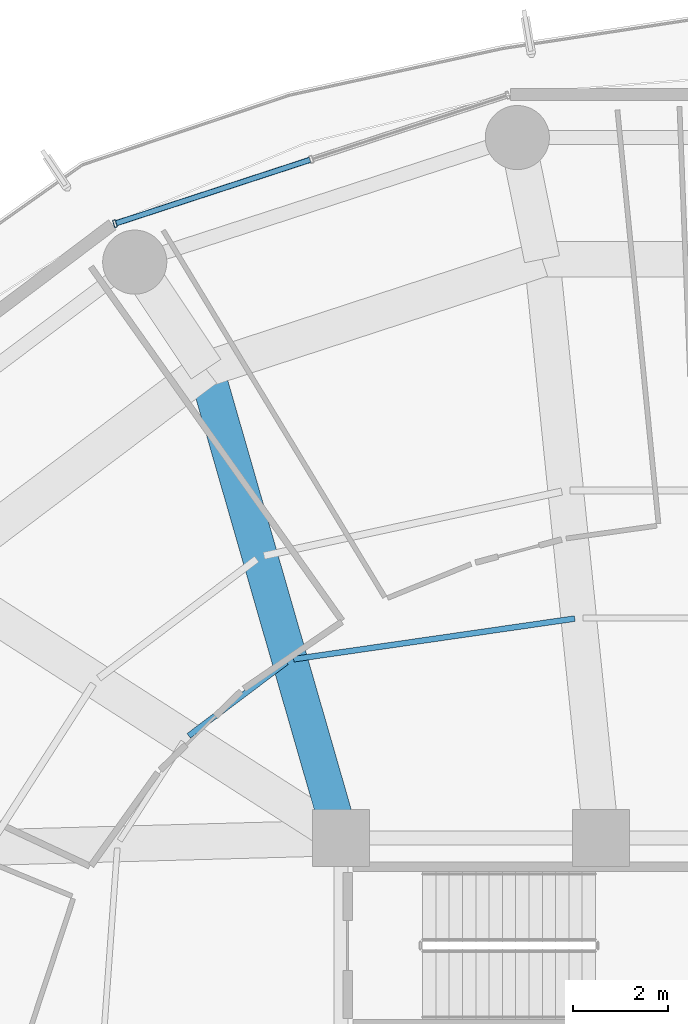
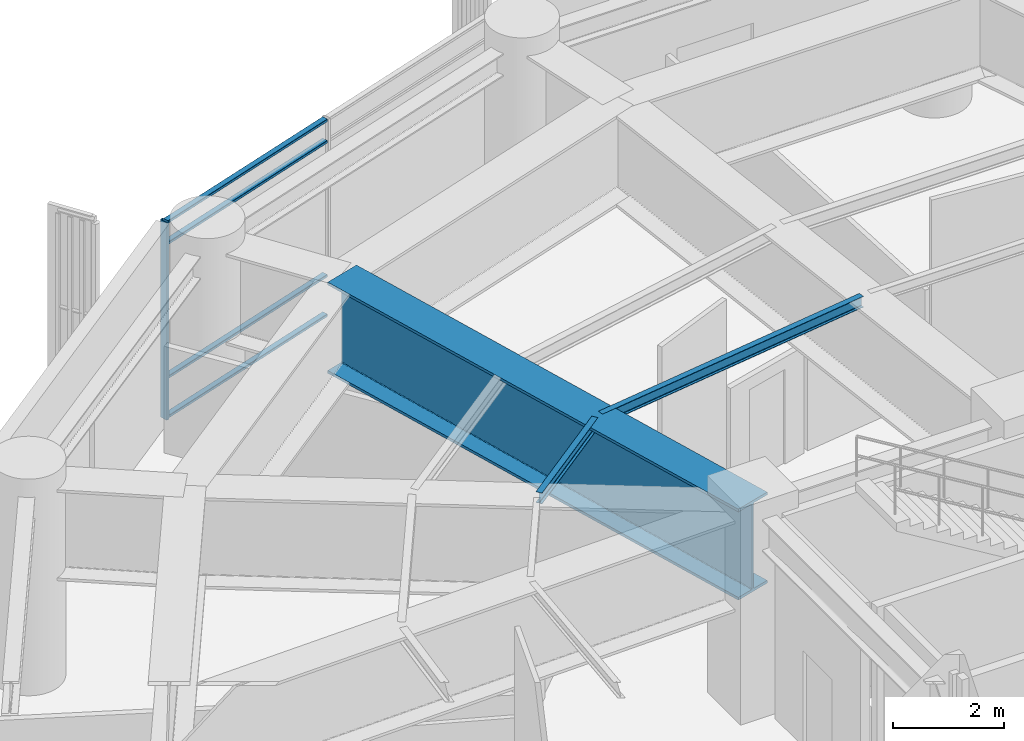
# One storey, part 18 of 34: 5 members, 3 beams, 1 element without a shape of its own.
"""IFC4 building model written with IfcOpenShell, lengths in metres."""

from ifc_helpers import new_model, si_unit, direction, frame, origin, origin_2d, place, context, subcontext, project, spatial, hollow_rectangle, i_section, extrude, material, layer, layer_set, material_profile, profile_set, type_object, element, aggregate, save


model = new_model("IFC4")

# Units and contexts
model_context = context("Model", 3, precision=1e-05, world=origin(), true_north=direction((0.0, 1.0)))
body_context = subcontext(model_context, "Body", "Model", "MODEL_VIEW")
ifc_project = project(units=[si_unit("LENGTHUNIT", "METRE"), si_unit("AREAUNIT", "SQUARE_METRE"), si_unit("VOLUMEUNIT", "CUBIC_METRE"), si_unit("PLANEANGLEUNIT", "RADIAN"), si_unit("MASSUNIT", "GRAM", prefix="KILO")], contexts=[model_context])

# Site, building, storey
site_placement = place(None, origin())
site = spatial("IfcSite", under=ifc_project, at=site_placement, CompositionType="ELEMENT")
building_placement = place(site_placement, origin())
building = spatial("IfcBuilding", under=site, at=building_placement, Name="Kelanora Arch Commons", CompositionType="ELEMENT")
storey_placement = place(building_placement, frame((0.0, 0.0, 125.10009765625)))
storey = spatial("IfcBuildingStorey", under=building, at=storey_placement, Name="L32", CompositionType="ELEMENT", Elevation=125.10009765625)

# Beams
ifc_material_1 = material(Name="Steel S355", Category="steel")
ifc_material_profile_1 = material_profile(ifc_material_1, i_section(OverallWidth=0.1201171875, OverallDepth=0.239990234375, WebThickness=0.006103515625, FlangeThickness=0.009765625, FilletRadius=0.014892578125, at=origin_2d()), Name="IPE240")
ifc_profile_set_1 = profile_set([ifc_material_profile_1], Name="Steel S355")
beam_type_1 = type_object("IfcBeamType", Name="BM-JST-02", PredefinedType="JOIST", material=ifc_profile_set_1)
beam_1_placement = place(storey_placement, frame((70.9228515625, 69.617919921875, 4.239990234375), z_axis=(-0.989718726051, -0.143027421508, 0.0), x_axis=(0.143027421508, -0.989718726051, 0.0)))
element("IfcBeam", 1, at=beam_1_placement, inside=storey, type_object=beam_type_1, Name="Secondary Chord Joist BJA-10 L32", PredefinedType="JOIST", context=body_context, shape_type="SweptSolid", body=[
    extrude(i_section(OverallWidth=0.1201171875, OverallDepth=0.239990234375, WebThickness=0.006103515625, FlangeThickness=0.009765625, FilletRadius=0.014892578125, at=origin_2d()), origin(), (0.0, 0.0, 1.0), 5.9794921875),
])
beam_2_placement = place(storey_placement, frame((64.852783203125, 68.699462890625, 4.239990234375), z_axis=(-0.798484118859, -0.602015873487, 0.0), x_axis=(0.602015873487, -0.798484118859, 0.0)))
element("IfcBeam", 2, at=beam_2_placement, inside=storey, type_object=beam_type_1, Name="Secondary Chord Joist BJA-12 L32", PredefinedType="JOIST", context=body_context, shape_type="SweptSolid", body=[
    extrude(i_section(OverallWidth=0.1201171875, OverallDepth=0.239990234375, WebThickness=0.006103515625, FlangeThickness=0.009765625, FilletRadius=0.014892578125, at=origin_2d()), origin(), (0.0, 0.0, 1.0), 2.57470703125),
])
ifc_material_profile_2 = material_profile(ifc_material_1, i_section(OverallWidth=0.75, OverallDepth=2.0, WebThickness=0.034912109375, FlangeThickness=0.06005859375, FilletRadius=0.028076171875, at=origin_2d()), Name="PG2000x750")
ifc_profile_set_2 = profile_set([ifc_material_profile_2], Name="Steel S355")
beam_type_2 = type_object("IfcBeamType", Name="BM-XFER-SET", PredefinedType="USERDEFINED", material=ifc_profile_set_2)
beam_3_placement = place(storey_placement, frame((66.0, 65.0, 3.35986328125), z_axis=(-0.276525880065, 0.961006471182, 0.0), x_axis=(-0.961006471182, -0.276525880065, 0.0)))
element("IfcBeam", 3, at=beam_3_placement, inside=storey, type_object=beam_type_2, Name="Setback Radial Transfer Girder BRI-12 L32", ObjectType="TRANSFER_GIRDER", PredefinedType="USERDEFINED", context=body_context, shape_type="SweptSolid", body=[
    extrude(i_section(OverallWidth=0.75, OverallDepth=2.0, WebThickness=0.034912109375, FlangeThickness=0.06005859375, FilletRadius=0.028076171875, at=origin_2d()), origin(), (0.0, 0.0, 1.0), 10.2705078125),
])

# Curtain wall, members
ifc_material_2 = material(Name="Terracotta ceramic-fritted low-E glass and aluminium", Category="masonry")
ifc_layer = layer(ifc_material_2, 0.159912109375)
ifc_layer_set = layer_set([ifc_layer], Name="Terracotta ceramic-fritted low-E glass and aluminium")
curtain_wall_type = type_object("IfcCurtainWallType", Name="CW-SYS-01", PredefinedType="NOTDEFINED", material=ifc_layer_set)
curtain_wall_placement = place(storey_placement, origin())
curtain_wall = element("IfcCurtainWall", 4, at=curtain_wall_placement, inside=storey, type_object=curtain_wall_type, Name="Unitised Curtain Wall L32-B05", PredefinedType="NOTDEFINED")
ifc_material_3 = material(Name="Powder-coated aluminium terracotta", Category="masonry")
ifc_material_profile_3 = material_profile(ifc_material_3, hollow_rectangle(XDim=0.159912109375, YDim=0.06005859375, WallThickness=0.0048828125, InnerFilletRadius=0.0048828125, OuterFilletRadius=0.010009765625, at=origin_2d()), Name="CWM160x60")
ifc_profile_set_3 = profile_set([ifc_material_profile_3], Name="Powder-coated aluminium terracotta")
member_type_1 = type_object("IfcMemberType", Name="CWM-STD", PredefinedType="MULLION", material=ifc_profile_set_3)
member_1_placement = place(storey_placement, frame((61.242919921875, 77.9326171875, 0.0), z_axis=(0.0, 0.0, 1.0), x_axis=(0.31080470294, -0.950473795867, 0.0)))
member_1 = element("IfcMember", 5, at=member_1_placement, type_object=member_type_1, Name="CW-01 mullion 3", PredefinedType="MULLION", context=body_context, shape_type="SweptSolid", body=[
    extrude(hollow_rectangle(XDim=0.159912109375, YDim=0.06005859375, WallThickness=0.0048828125, InnerFilletRadius=0.0048828125, OuterFilletRadius=0.010009765625, at=origin_2d()), origin(), (0.0, 0.0, 1.0), 4.344970703125),
])
ifc_material_profile_4 = material_profile(ifc_material_3, hollow_rectangle(XDim=0.1201171875, YDim=0.06005859375, WallThickness=0.0048828125, InnerFilletRadius=0.0048828125, OuterFilletRadius=0.010009765625, at=origin_2d()), Name="CWT120x60")
ifc_profile_set_4 = profile_set([ifc_material_profile_4], Name="Powder-coated aluminium terracotta")
member_type_2 = type_object("IfcMemberType", Name="CWT-STD", PredefinedType="USERDEFINED", material=ifc_profile_set_4)
member_2_placement = place(storey_placement, frame((65.348876953125, 79.275390625, 0.02978515625), z_axis=(-0.950466230394, -0.310827838008, 0.0), x_axis=(0.310827838008, -0.950466230394, 0.0)))
member_2 = element("IfcMember", 6, at=member_2_placement, type_object=member_type_2, Name="CW-01 transom 2.1", ObjectType="TRANSOM", PredefinedType="USERDEFINED", context=body_context, shape_type="SweptSolid", body=[
    extrude(hollow_rectangle(XDim=0.1201171875, YDim=0.06005859375, WallThickness=0.0048828125, InnerFilletRadius=0.0048828125, OuterFilletRadius=0.010009765625, at=origin_2d()), origin(), (0.0, 0.0, 1.0), 4.2900390625),
])
member_3_placement = place(storey_placement, frame((65.348876953125, 79.275390625, 0.89990234375), z_axis=(-0.950466230394, -0.310827838008, 0.0), x_axis=(0.310827838008, -0.950466230394, 0.0)))
member_3 = element("IfcMember", 7, at=member_3_placement, type_object=member_type_2, Name="CW-01 transom 2.2", ObjectType="TRANSOM", PredefinedType="USERDEFINED", context=body_context, shape_type="SweptSolid", body=[
    extrude(hollow_rectangle(XDim=0.1201171875, YDim=0.06005859375, WallThickness=0.0048828125, InnerFilletRadius=0.0048828125, OuterFilletRadius=0.010009765625, at=origin_2d()), origin(), (0.0, 0.0, 1.0), 4.2900390625),
])
member_4_placement = place(storey_placement, frame((65.348876953125, 79.275390625, 3.844970703125), z_axis=(-0.950466230394, -0.310827838008, 0.0), x_axis=(0.310827838008, -0.950466230394, 0.0)))
member_4 = element("IfcMember", 8, at=member_4_placement, type_object=member_type_2, Name="CW-01 transom 2.3", ObjectType="TRANSOM", PredefinedType="USERDEFINED", context=body_context, shape_type="SweptSolid", body=[
    extrude(hollow_rectangle(XDim=0.1201171875, YDim=0.06005859375, WallThickness=0.0048828125, InnerFilletRadius=0.0048828125, OuterFilletRadius=0.010009765625, at=origin_2d()), origin(), (0.0, 0.0, 1.0), 4.2900390625),
])
member_5_placement = place(storey_placement, frame((65.348876953125, 79.275390625, 4.31494140625), z_axis=(-0.950466230394, -0.310827838008, 0.0), x_axis=(0.310827838008, -0.950466230394, 0.0)))
member_5 = element("IfcMember", 9, at=member_5_placement, type_object=member_type_2, Name="CW-01 transom 2.4", ObjectType="TRANSOM", PredefinedType="USERDEFINED", context=body_context, shape_type="SweptSolid", body=[
    extrude(hollow_rectangle(XDim=0.1201171875, YDim=0.06005859375, WallThickness=0.0048828125, InnerFilletRadius=0.0048828125, OuterFilletRadius=0.010009765625, at=origin_2d()), origin(), (0.0, 0.0, 1.0), 4.2900390625),
])
aggregate(curtain_wall, [member_1, member_2, member_3, member_4, member_5])

save(model, "model.ifc")
